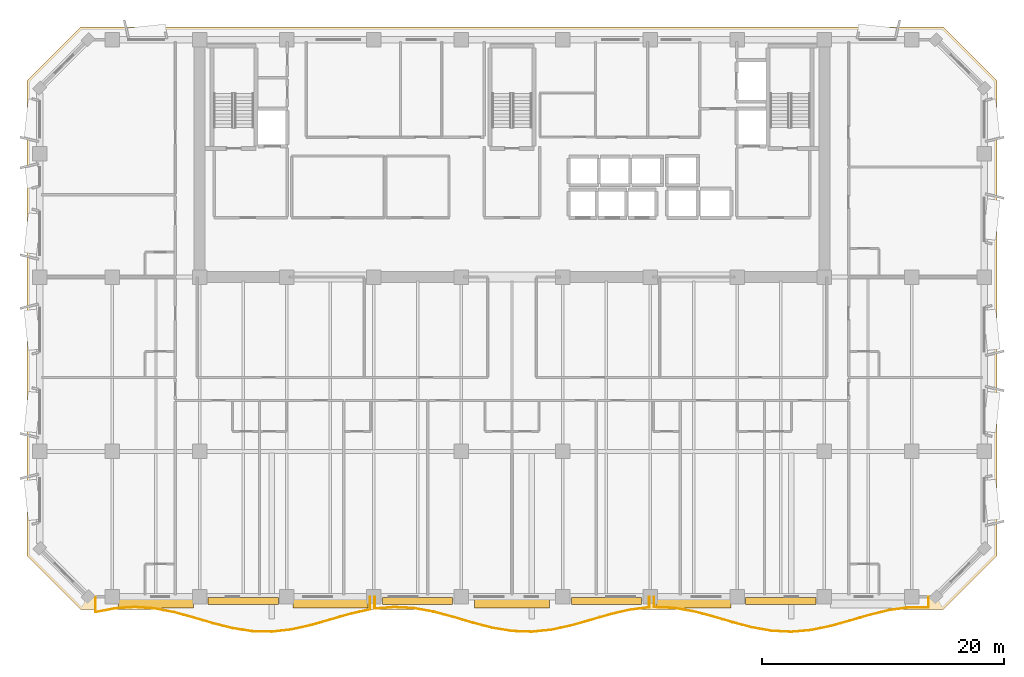
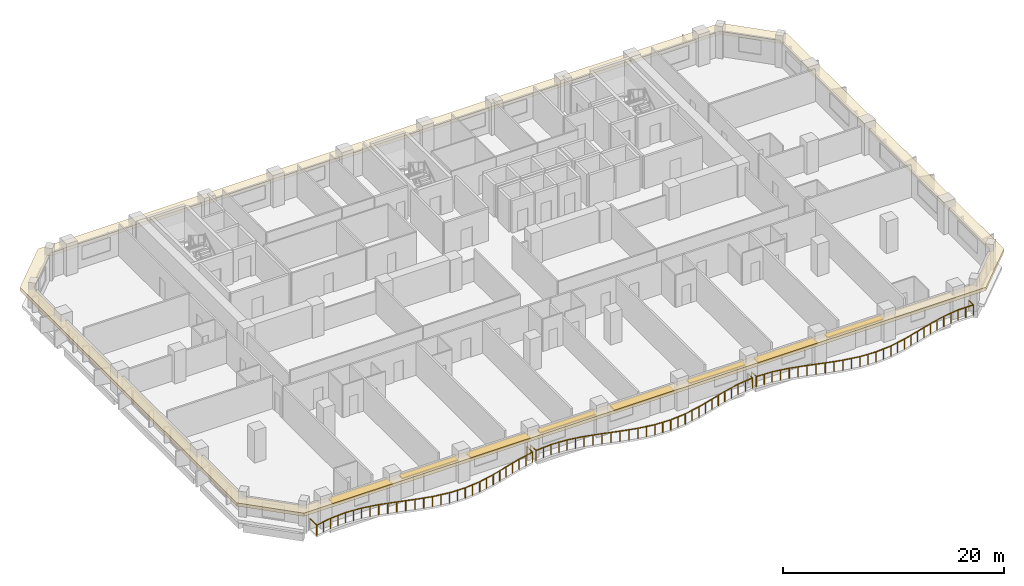
# One storey, part 10 of 14: 8 shading devices, 3 railings, 1 covering.
"""IFC4 building model written with IfcOpenShell, lengths in metres."""

import ifcopenshell
import ifcopenshell.guid

model = None  # the IFC model being written
_history = None  # IfcOwnerHistory: only IFC2X3 demands one
_inside = {}  # id of a spatial element -> (the spatial element, [elements in it])
_under = {}  # id of a project, library or spatial element -> (it, [spatial elements below it])
_declared = {}  # id of a project -> (the project, [libraries it declares])
_typed = {}  # id of a type object -> (the type object, [elements of that type])
_made_of = {}  # id of a material, layer set ... -> (it, [elements and type objects made of it])


def new_model(schema):
    """Start an empty IFC model of exactly this schema.

    Asked for "IFC4X3", IfcOpenShell would pick the latest addendum, in which some entities
    have other attributes; the version numbers below select the first issue.
    IFC2X3 requires an IfcOwnerHistory on every rooted entity: one is made here for all.
    """
    global model, _history
    if schema == "IFC4X3":
        model = ifcopenshell.file(schema_version=(4, 3, 0, 0))
    else:
        model = ifcopenshell.file(schema=schema)
    _inside.clear()
    _under.clear()
    _declared.clear()
    _typed.clear()
    _made_of.clear()
    _history = None
    if model.schema == "IFC2X3":
        org = make("IfcOrganization", Name="unknown")
        user = make(
            "IfcPersonAndOrganization",
            ThePerson=make("IfcPerson", FamilyName="unknown"),
            TheOrganization=org,
        )
        app = make(
            "IfcApplication",
            ApplicationDeveloper=org,
            Version="unknown",
            ApplicationFullName="unknown",
            ApplicationIdentifier="unknown",
        )
        _history = make(
            "IfcOwnerHistory",
            OwningUser=user,
            OwningApplication=app,
            ChangeAction="ADDED",
            CreationDate=0,
        )
    return model


def make(cls, **values):
    """One entity of the class cls with the attributes given. An attribute that is None is left unset."""
    return model.create_entity(
        cls, **{name: value for name, value in values.items() if value is not None}
    )


def rooted(cls, **values):
    """An entity with a GlobalId (a new one), such as an element, a storey or a relation."""
    return make(cls, GlobalId=ifcopenshell.guid.new(), OwnerHistory=_history, **values)


def si_unit(unit_type, name, prefix=None):
    """IfcSIUnit, for example si_unit("LENGTHUNIT", "METRE", prefix="MILLI")."""
    return make("IfcSIUnit", UnitType=unit_type, Prefix=prefix, Name=name)


def assignment(units):
    """IfcUnitAssignment: the units of a project."""
    return None if units is None else make("IfcUnitAssignment", Units=units)


def point(xyz):
    """IfcCartesianPoint."""
    return None if xyz is None else make("IfcCartesianPoint", Coordinates=xyz)


def direction(xyz):
    """IfcDirection."""
    return None if xyz is None else make("IfcDirection", DirectionRatios=xyz)


def frame(location, z_axis=None, x_axis=None):
    """IfcAxis2Placement3D, a coordinate frame: its origin and axes. An axis left out is left unset."""
    return make(
        "IfcAxis2Placement3D",
        Location=point(location),
        Axis=direction(z_axis),
        RefDirection=direction(x_axis),
    )


def frame_2d(location, x_axis=None):
    """IfcAxis2Placement2D, a coordinate frame in the plane: its origin and x axis."""
    return make(
        "IfcAxis2Placement2D", Location=point(location), RefDirection=direction(x_axis)
    )


def origin():
    """The frame at (0, 0, 0) with its axes left unset."""
    return frame((0.0, 0.0, 0.0))


def origin_2d():
    """The frame at (0, 0) in the plane with its x axis left unset."""
    return frame_2d((0.0, 0.0))


def place(relative_to, where):
    """IfcLocalPlacement: puts the frame where relative to a parent placement (None: the world)."""
    return make(
        "IfcLocalPlacement", PlacementRelTo=relative_to, RelativePlacement=where
    )


def context(
    kind, dimensions, precision=None, world=None, true_north=None, identifier=None
):
    """IfcGeometricRepresentationContext, for example the 3D "Model" context."""
    return make(
        "IfcGeometricRepresentationContext",
        ContextIdentifier=identifier,
        ContextType=kind,
        CoordinateSpaceDimension=dimensions,
        Precision=precision,
        WorldCoordinateSystem=world,
        TrueNorth=true_north,
    )


def subcontext(parent, identifier, kind, view, scale=None):
    """IfcGeometricRepresentationSubContext, for example "Body" below "Model"."""
    return make(
        "IfcGeometricRepresentationSubContext",
        ContextIdentifier=identifier,
        ContextType=kind,
        ParentContext=parent,
        TargetScale=scale,
        TargetView=view,
    )


def project(units=None, contexts=None):
    """IfcProject with its units and contexts."""
    return rooted(
        "IfcProject",
        Name="project",
        RepresentationContexts=contexts,
        UnitsInContext=assignment(units),
    )


def spatial(cls, under=None, at=None, **own):
    """A site, building, storey or space (cls), placed at a placement, below another one or the project."""
    s = rooted(cls, ObjectPlacement=at, **own)
    if under is not None:
        _under.setdefault(under.id(), (under, []))[1].append(s)
    return s


def polyline(points):
    """IfcPolyline through the points."""
    return make("IfcPolyline", Points=[point(p) for p in points])


def profile(cls, at=None, kind="AREA", **sizes):
    """A parametric profile (cls). Its sizes go by their IFC names, for example OverallWidth=200.0."""
    return make(cls, ProfileType=kind, Position=at, **sizes)


def rectangle(**sizes):
    """IfcRectangleProfileDef."""
    return profile("IfcRectangleProfileDef", **sizes)


def outline(outer, holes=None, kind="AREA"):
    """IfcArbitraryClosedProfileDef: a profile drawn as a closed curve; with holes, ...WithVoids."""
    if holes is None:
        return make("IfcArbitraryClosedProfileDef", ProfileType=kind, OuterCurve=outer)
    return make(
        "IfcArbitraryProfileDefWithVoids",
        ProfileType=kind,
        OuterCurve=outer,
        InnerCurves=holes,
    )


def extrude(swept, where, along, depth):
    """IfcExtrudedAreaSolid: the profile swept, set in the frame where, extruded along a direction by depth."""
    return make(
        "IfcExtrudedAreaSolid",
        SweptArea=swept,
        Position=where,
        ExtrudedDirection=direction(along),
        Depth=depth,
    )


def shape(context_of_items, identifier, shape_type, items):
    """IfcShapeRepresentation: the items that make up one representation, for example the "Body"."""
    return make(
        "IfcShapeRepresentation",
        ContextOfItems=context_of_items,
        RepresentationIdentifier=identifier,
        RepresentationType=shape_type,
        Items=items,
    )


def material(Name=None, Category=None):
    """IfcMaterial."""
    return make("IfcMaterial", Name=Name, Category=Category)


def layer(
    of_material, thickness, ventilated=None, Name=None, Category=None, Priority=None
):
    """IfcMaterialLayer: one layer of a wall or slab, of a material (None: an air gap)."""
    return make(
        "IfcMaterialLayer",
        Material=of_material,
        LayerThickness=thickness,
        IsVentilated=ventilated,
        Name=Name,
        Category=Category,
        Priority=Priority,
    )


def layer_set(layers, Name=None):
    """IfcMaterialLayerSet."""
    return make("IfcMaterialLayerSet", MaterialLayers=layers, LayerSetName=Name)


def made_of(thing, what):
    """Note that an element or type object is made of a material, layer set ...; save() writes the relation."""
    if what is not None:
        _made_of.setdefault(what.id(), (what, []))[1].append(thing)
    return thing


def type_object(cls, material=None, **own):
    """A type object (cls), such as IfcWallType, which elements share."""
    return made_of(rooted(cls, **own), material)


def element(
    cls,
    number,
    at=None,
    inside=None,
    cuts=None,
    type_object=None,
    material=None,
    context=None,
    identifier="Body",
    shape_type=None,
    held_by="IfcProductDefinitionShape",
    body=None,
    shapes=None,
    **own,
):
    """One element of the class cls, such as IfcWall. Its Tag is "e" and its number.

    at: its placement. inside: the storey or other place that contains it. cuts: it is an
    opening in that element (IfcRelVoidsElement). A single representation is given by context,
    identifier, shape_type and body (its items); several are given by shapes. held_by: the class
    of the entity that holds the representations. save() writes the other relations.
    """
    e = rooted(cls, Tag="e%d" % number, ObjectPlacement=at, **own)
    if body is not None:
        shapes = [shape(context, identifier, shape_type, body)]
    if shapes is not None:
        e.Representation = make(held_by, Representations=shapes)
    if inside is not None:
        _inside.setdefault(inside.id(), (inside, []))[1].append(e)
    if cuts is not None:
        rooted(
            "IfcRelVoidsElement", RelatingBuildingElement=cuts, RelatedOpeningElement=e
        )
    if type_object is not None:
        _typed.setdefault(type_object.id(), (type_object, []))[1].append(e)
    return made_of(e, material)


def aggregate(whole, parts):
    """IfcRelAggregates: a whole, such as a stair, and the parts it consists of."""
    return rooted("IfcRelAggregates", RelatingObject=whole, RelatedObjects=parts)


def save(model, path):
    """Write the relations noted so far, then the file.

    IfcRelAggregates (storeys below a building ...), IfcRelContainedInSpatialStructure (elements
    in a storey), IfcRelDefinesByType, IfcRelAssociatesMaterial and IfcRelDeclares: one each for
    every whole, place, type object, material and project.
    """
    for whole, parts in _under.values():
        aggregate(whole, parts)
    for where, things in _inside.values():
        rooted(
            "IfcRelContainedInSpatialStructure",
            RelatedElements=things,
            RelatingStructure=where,
        )
    for kind, things in _typed.values():
        rooted("IfcRelDefinesByType", RelatedObjects=things, RelatingType=kind)
    for what, things in _made_of.values():
        rooted("IfcRelAssociatesMaterial", RelatedObjects=things, RelatingMaterial=what)
    for by, libraries in _declared.values():
        rooted("IfcRelDeclares", RelatingContext=by, RelatedDefinitions=libraries)
    model.write(path)


model = new_model("IFC4")

# Units and contexts
model_context = context("Model", 3, precision=1e-05, world=origin(), true_north=direction((0.0, 1.0)))
body_context = subcontext(model_context, "Body", "Model", "MODEL_VIEW")
ifc_project = project(units=[si_unit("LENGTHUNIT", "METRE"), si_unit("AREAUNIT", "SQUARE_METRE"), si_unit("VOLUMEUNIT", "CUBIC_METRE"), si_unit("PLANEANGLEUNIT", "RADIAN"), si_unit("MASSUNIT", "GRAM", prefix="KILO")], contexts=[model_context])

# Site, building, storey
site_placement = place(None, origin())
site = spatial("IfcSite", under=ifc_project, at=site_placement, CompositionType="ELEMENT")
building_placement = place(site_placement, origin())
building = spatial("IfcBuilding", under=site, at=building_placement, Name="Kaelvorn Grand Hotel", CompositionType="ELEMENT")
storey_placement = place(building_placement, frame((0.0, 0.0, 169.550048828125)))
storey = spatial("IfcBuildingStorey", under=building, at=storey_placement, Name="L41", CompositionType="ELEMENT", Elevation=169.550048828125)

# Covering
ifc_material_1 = material(Name="Precast concrete C45/55", Category="concrete")
ifc_layer_1 = layer(ifc_material_1, 0.260009765625)
ifc_layer_set_1 = layer_set([ifc_layer_1], Name="Precast concrete C45/55")
covering_type = type_object("IfcCoveringType", Name="COV-BAND-STREAMLINE-HEAD", PredefinedType="CLADDING", material=ifc_layer_set_1)
covering_placement = place(storey_placement, frame((0.0, 0.0, 2.3798828125)))
element("IfcCovering", 1, at=covering_placement, inside=storey, type_object=covering_type, Name="L41 Streamline Moderne Wraparound Horizontal Eyebrow Band", PredefinedType="CLADDING", context=body_context, shape_type="SweptSolid", body=[
    extrude(outline(polyline([(6.389892578125, 1.949951171875), (77.610107421875, 1.949951171875), (82.050048828125, 6.389892578125), (82.050048828125, 45.610107421875), (77.610107421875, 50.050048828125), (6.389892578125, 50.050048828125), (1.949951171875, 45.610107421875), (1.949951171875, 6.389892578125), (6.389892578125, 1.949951171875)]), holes=[polyline([(7.02001953125, 3.030029296875), (76.97998046875, 3.030029296875), (80.969970703125, 7.02001953125), (80.969970703125, 44.97998046875), (76.97998046875, 48.969970703125), (7.02001953125, 48.969970703125), (3.030029296875, 44.97998046875), (3.030029296875, 7.02001953125), (7.02001953125, 3.030029296875)])]), origin(), (0.0, 0.0, 1.0), 0.360107421875),
])

# Railings
ifc_material_2 = material(Name="Stainless Steel", Category="steel")
railing_type = type_object("IfcRailingType", Name="RL-BALC-1150", PredefinedType="BALUSTRADE", material=ifc_material_2)
railing_1_placement = place(storey_placement, frame((7.60009765625, 3.0, 0.0)))
element("IfcRailing", 2, at=railing_1_placement, inside=storey, type_object=railing_type, Name="L41 Scalloped Wave Balcony Balustrade GR1-1", PredefinedType="BALUSTRADE", context=body_context, shape_type="SweptSolid", body=[
    extrude(rectangle(XDim=0.048095703125, YDim=0.048095703125, at=origin_2d()), frame((0.0, 0.0, 1.1259765625), z_axis=(0.0, -1.0, 0.0), x_axis=(1.0, 0.0, 0.0)), (0.0, 0.0, 1.0), 1.2724609375),
    extrude(rectangle(XDim=0.048095703125, YDim=0.048095703125, at=origin_2d()), frame((0.0, -1.2724609375, 1.1259765625), z_axis=(0.982094021858, 0.18839143354, 0.0), x_axis=(-0.18839143354, 0.982094021858, 0.0)), (0.0, 0.0, 1.0), 1.6484375),
    extrude(rectangle(XDim=0.048095703125, YDim=0.048095703125, at=origin_2d()), frame((1.618896484375, -0.9619140625, 1.1259765625), z_axis=(0.997623915422, 0.068895017078, 0.0), x_axis=(-0.068895017078, 0.997623915422, 0.0)), (0.0, 0.0, 1.0), 1.623046875),
    extrude(rectangle(XDim=0.048095703125, YDim=0.048095703125, at=origin_2d()), frame((3.238037109375, -0.85009765625, 1.1259765625), z_axis=(0.99764384086, -0.068605880174, 0.0), x_axis=(0.068605880174, 0.99764384086, 0.0)), (0.0, 0.0, 1.0), 1.622802734375),
    extrude(rectangle(XDim=0.048095703125, YDim=0.048095703125, at=origin_2d()), frame((4.85693359375, -0.96142578125, 1.1259765625), z_axis=(0.982154027822, -0.188078349719, 0.0), x_axis=(0.188078349719, 0.982154027822, 0.0)), (0.0, 0.0, 1.0), 1.648681640625),
    extrude(rectangle(XDim=0.048095703125, YDim=0.048095703125, at=origin_2d()), frame((6.47607421875, -1.271484375, 1.1259765625), z_axis=(0.964753749565, -0.263154332473, 0.0), x_axis=(0.263154332473, 0.964753749565, 0.0)), (0.0, 0.0, 1.0), 1.67822265625),
    extrude(rectangle(XDim=0.048095703125, YDim=0.048095703125, at=origin_2d()), frame((8.09521484375, -1.713134765625, 1.1259765625), z_axis=(0.95922025705, -0.282659686665, 0.0), x_axis=(0.282659686665, 0.95922025705, 0.0)), (0.0, 0.0, 1.0), 1.687744140625),
    extrude(rectangle(XDim=0.048095703125, YDim=0.048095703125, at=origin_2d()), frame((9.714111328125, -2.190185546875, 1.1259765625), z_axis=(0.969658957211, -0.244461667138, 0.0), x_axis=(0.244461667138, 0.969658957211, 0.0)), (0.0, 0.0, 1.0), 1.669921875),
    extrude(rectangle(XDim=0.048095703125, YDim=0.048095703125, at=origin_2d()), frame((11.333251953125, -2.598388671875, 1.1259765625), z_axis=(0.988221348221, -0.153031261252, 0.0), x_axis=(0.153031261252, 0.988221348221, 0.0)), (0.0, 0.0, 1.0), 1.638427734375),
    extrude(rectangle(XDim=0.048095703125, YDim=0.048095703125, at=origin_2d()), frame((12.952392578125, -2.84912109375, 1.1259765625), z_axis=(0.99971624649, -0.023820715872, 0.0), x_axis=(0.023820715872, 0.99971624649, 0.0)), (0.0, 0.0, 1.0), 1.619384765625),
    extrude(rectangle(XDim=0.048095703125, YDim=0.048095703125, at=origin_2d()), frame((14.5712890625, -2.8876953125, 1.1259765625), z_axis=(0.993749613979, 0.111632005792, 0.0), x_axis=(-0.111632005792, 0.993749613979, 0.0)), (0.0, 0.0, 1.0), 1.62939453125),
    extrude(rectangle(XDim=0.048095703125, YDim=0.048095703125, at=origin_2d()), frame((16.1904296875, -2.705810546875, 1.1259765625), z_axis=(0.975797698507, 0.218675219421, 0.0), x_axis=(-0.218675219421, 0.975797698507, 0.0)), (0.0, 0.0, 1.0), 1.658935546875),
    extrude(rectangle(XDim=0.048095703125, YDim=0.048095703125, at=origin_2d()), frame((17.809326171875, -2.343017578125, 1.1259765625), z_axis=(0.961211580708, 0.275812068469, 0.0), x_axis=(-0.275812068469, 0.961211580708, 0.0)), (0.0, 0.0, 1.0), 1.6845703125),
    extrude(rectangle(XDim=0.048095703125, YDim=0.048095703125, at=origin_2d()), frame((19.428466796875, -1.87841796875, 1.1259765625), z_axis=(0.961057758635, 0.27634757927, 0.0), x_axis=(-0.27634757927, 0.961057758635, 0.0)), (0.0, 0.0, 1.0), 1.684814453125),
    extrude(rectangle(XDim=0.048095703125, YDim=0.048095703125, at=origin_2d()), frame((21.047607421875, -1.412841796875, 1.1259765625), z_axis=(0.97554591374, 0.219795746513, 0.0), x_axis=(-0.219795746513, 0.97554591374, 0.0)), (0.0, 0.0, 1.0), 1.659423828125),
    extrude(rectangle(XDim=0.048095703125, YDim=0.048095703125, at=origin_2d()), frame((22.66650390625, -1.048095703125, 1.1259765625), z_axis=(0.0, 1.0, 0.0), x_axis=(-1.0, 0.0, 0.0)), (0.0, 0.0, 1.0), 1.048095703125),
    extrude(rectangle(XDim=0.0419921875, YDim=0.0419921875, at=origin_2d()), origin(), (0.0, 0.0, 1.0), 1.101806640625),
    extrude(rectangle(XDim=0.0419921875, YDim=0.0419921875, at=origin_2d()), frame((0.0, -1.2724609375, 0.0)), (0.0, 0.0, 1.0), 1.101806640625),
    extrude(rectangle(XDim=0.0419921875, YDim=0.0419921875, at=origin_2d()), frame((0.8095703125, -1.1171875, 0.0)), (0.0, 0.0, 1.0), 1.101806640625),
    extrude(rectangle(XDim=0.0419921875, YDim=0.0419921875, at=origin_2d()), frame((1.618896484375, -0.9619140625, 0.0)), (0.0, 0.0, 1.0), 1.101806640625),
    extrude(rectangle(XDim=0.0419921875, YDim=0.0419921875, at=origin_2d()), frame((2.428466796875, -0.906005859375, 0.0)), (0.0, 0.0, 1.0), 1.101806640625),
    extrude(rectangle(XDim=0.0419921875, YDim=0.0419921875, at=origin_2d()), frame((3.238037109375, -0.85009765625, 0.0)), (0.0, 0.0, 1.0), 1.101806640625),
    extrude(rectangle(XDim=0.0419921875, YDim=0.0419921875, at=origin_2d()), frame((4.04736328125, -0.90576171875, 0.0)), (0.0, 0.0, 1.0), 1.101806640625),
    extrude(rectangle(XDim=0.0419921875, YDim=0.0419921875, at=origin_2d()), frame((4.85693359375, -0.96142578125, 0.0)), (0.0, 0.0, 1.0), 1.101806640625),
    extrude(rectangle(XDim=0.0419921875, YDim=0.0419921875, at=origin_2d()), frame((5.66650390625, -1.116455078125, 0.0)), (0.0, 0.0, 1.0), 1.101806640625),
    extrude(rectangle(XDim=0.0419921875, YDim=0.0419921875, at=origin_2d()), frame((6.47607421875, -1.271484375, 0.0)), (0.0, 0.0, 1.0), 1.101806640625),
    extrude(rectangle(XDim=0.0419921875, YDim=0.0419921875, at=origin_2d()), frame((7.28564453125, -1.4921875, 0.0)), (0.0, 0.0, 1.0), 1.101806640625),
    extrude(rectangle(XDim=0.0419921875, YDim=0.0419921875, at=origin_2d()), frame((8.09521484375, -1.713134765625, 0.0)), (0.0, 0.0, 1.0), 1.101806640625),
    extrude(rectangle(XDim=0.0419921875, YDim=0.0419921875, at=origin_2d()), frame((8.90478515625, -1.95166015625, 0.0)), (0.0, 0.0, 1.0), 1.101806640625),
    extrude(rectangle(XDim=0.0419921875, YDim=0.0419921875, at=origin_2d()), frame((9.714111328125, -2.190185546875, 0.0)), (0.0, 0.0, 1.0), 1.101806640625),
    extrude(rectangle(XDim=0.0419921875, YDim=0.0419921875, at=origin_2d()), frame((10.523681640625, -2.394287109375, 0.0)), (0.0, 0.0, 1.0), 1.101806640625),
    extrude(rectangle(XDim=0.0419921875, YDim=0.0419921875, at=origin_2d()), frame((11.333251953125, -2.598388671875, 0.0)), (0.0, 0.0, 1.0), 1.101806640625),
    extrude(rectangle(XDim=0.0419921875, YDim=0.0419921875, at=origin_2d()), frame((12.142822265625, -2.7236328125, 0.0)), (0.0, 0.0, 1.0), 1.101806640625),
    extrude(rectangle(XDim=0.0419921875, YDim=0.0419921875, at=origin_2d()), frame((12.952392578125, -2.84912109375, 0.0)), (0.0, 0.0, 1.0), 1.101806640625),
    extrude(rectangle(XDim=0.0419921875, YDim=0.0419921875, at=origin_2d()), frame((13.76171875, -2.868408203125, 0.0)), (0.0, 0.0, 1.0), 1.101806640625),
    extrude(rectangle(XDim=0.0419921875, YDim=0.0419921875, at=origin_2d()), frame((14.5712890625, -2.8876953125, 0.0)), (0.0, 0.0, 1.0), 1.101806640625),
    extrude(rectangle(XDim=0.0419921875, YDim=0.0419921875, at=origin_2d()), frame((15.380859375, -2.796875, 0.0)), (0.0, 0.0, 1.0), 1.101806640625),
    extrude(rectangle(XDim=0.0419921875, YDim=0.0419921875, at=origin_2d()), frame((16.1904296875, -2.705810546875, 0.0)), (0.0, 0.0, 1.0), 1.101806640625),
    extrude(rectangle(XDim=0.0419921875, YDim=0.0419921875, at=origin_2d()), frame((17.0, -2.5244140625, 0.0)), (0.0, 0.0, 1.0), 1.101806640625),
    extrude(rectangle(XDim=0.0419921875, YDim=0.0419921875, at=origin_2d()), frame((17.809326171875, -2.343017578125, 0.0)), (0.0, 0.0, 1.0), 1.101806640625),
    extrude(rectangle(XDim=0.0419921875, YDim=0.0419921875, at=origin_2d()), frame((18.618896484375, -2.11083984375, 0.0)), (0.0, 0.0, 1.0), 1.101806640625),
    extrude(rectangle(XDim=0.0419921875, YDim=0.0419921875, at=origin_2d()), frame((19.428466796875, -1.87841796875, 0.0)), (0.0, 0.0, 1.0), 1.101806640625),
    extrude(rectangle(XDim=0.0419921875, YDim=0.0419921875, at=origin_2d()), frame((20.238037109375, -1.6455078125, 0.0)), (0.0, 0.0, 1.0), 1.101806640625),
    extrude(rectangle(XDim=0.0419921875, YDim=0.0419921875, at=origin_2d()), frame((21.047607421875, -1.412841796875, 0.0)), (0.0, 0.0, 1.0), 1.101806640625),
    extrude(rectangle(XDim=0.0419921875, YDim=0.0419921875, at=origin_2d()), frame((21.85693359375, -1.23046875, 0.0)), (0.0, 0.0, 1.0), 1.101806640625),
    extrude(rectangle(XDim=0.0419921875, YDim=0.0419921875, at=origin_2d()), frame((22.66650390625, -1.048095703125, 0.0)), (0.0, 0.0, 1.0), 1.101806640625),
    extrude(rectangle(XDim=0.0419921875, YDim=0.0419921875, at=origin_2d()), frame((22.66650390625, 0.0, 0.0)), (0.0, 0.0, 1.0), 1.101806640625),
])
railing_2_placement = place(storey_placement, frame((30.666748046875, 3.0, 0.0)))
element("IfcRailing", 3, at=railing_2_placement, inside=storey, type_object=railing_type, Name="L41 Scalloped Wave Balcony Balustrade GR1-2", PredefinedType="BALUSTRADE", context=body_context, shape_type="SweptSolid", body=[
    extrude(rectangle(XDim=0.048095703125, YDim=0.048095703125, at=origin_2d()), frame((0.0, 0.0, 1.1259765625), z_axis=(0.0, -1.0, 0.0), x_axis=(1.0, 0.0, 0.0)), (0.0, 0.0, 1.0), 0.9833984375),
    extrude(rectangle(XDim=0.048095703125, YDim=0.048095703125, at=origin_2d()), frame((0.0, -0.9833984375, 1.1259765625), z_axis=(0.99667615303, 0.081465612267, 0.0), x_axis=(-0.081465612267, 0.99667615303, 0.0)), (0.0, 0.0, 1.0), 1.624267578125),
    extrude(rectangle(XDim=0.048095703125, YDim=0.048095703125, at=origin_2d()), frame((1.618896484375, -0.85107421875, 1.1259765625), z_axis=(0.998438971105, -0.055853567292, 0.0), x_axis=(0.055853567292, 0.998438971105, 0.0)), (0.0, 0.0, 1.0), 1.62158203125),
    extrude(rectangle(XDim=0.048095703125, YDim=0.048095703125, at=origin_2d()), frame((3.238037109375, -0.941650390625, 1.1259765625), z_axis=(0.983917350354, -0.178624319938, 0.0), x_axis=(0.178624319938, 0.983917350354, 0.0)), (0.0, 0.0, 1.0), 1.6455078125),
    extrude(rectangle(XDim=0.048095703125, YDim=0.048095703125, at=origin_2d()), frame((4.857177734375, -1.235595703125, 1.1259765625), z_axis=(0.966063041937, -0.258306405271, 0.0), x_axis=(0.258306405271, 0.966063041937, 0.0)), (0.0, 0.0, 1.0), 1.67578125),
    extrude(rectangle(XDim=0.048095703125, YDim=0.048095703125, at=origin_2d()), frame((6.47607421875, -1.66845703125, 1.1259765625), z_axis=(0.959074846834, -0.283152676433, 0.0), x_axis=(0.283152676433, 0.959074846834, 0.0)), (0.0, 0.0, 1.0), 1.688232421875),
    extrude(rectangle(XDim=0.048095703125, YDim=0.048095703125, at=origin_2d()), frame((8.09521484375, -2.146484375, 1.1259765625), z_axis=(0.968108458434, -0.250531460515, 0.0), x_axis=(0.250531460515, 0.968108458434, 0.0)), (0.0, 0.0, 1.0), 1.672119140625),
    extrude(rectangle(XDim=0.048095703125, YDim=0.048095703125, at=origin_2d()), frame((9.714111328125, -2.5654296875, 1.1259765625), z_axis=(0.986522272056, -0.163627035474, 0.0), x_axis=(0.163627035474, 0.986522272056, 0.0)), (0.0, 0.0, 1.0), 1.641357421875),
    extrude(rectangle(XDim=0.048095703125, YDim=0.048095703125, at=origin_2d()), frame((11.333251953125, -2.833984375, 1.1259765625), z_axis=(0.999318338292, -0.0369169169, 0.0), x_axis=(0.0369169169, 0.999318338292, 0.0)), (0.0, 0.0, 1.0), 1.620361328125),
    extrude(rectangle(XDim=0.048095703125, YDim=0.048095703125, at=origin_2d()), frame((12.952392578125, -2.893798828125, 1.1259765625), z_axis=(0.995023809866, 0.099637431722, 0.0), x_axis=(-0.099637431722, 0.995023809866, 0.0)), (0.0, 0.0, 1.0), 1.626953125),
    extrude(rectangle(XDim=0.048095703125, YDim=0.048095703125, at=origin_2d()), frame((14.5712890625, -2.731689453125, 1.1259765625), z_axis=(0.977594849421, 0.210495392789, 0.0), x_axis=(-0.210495392789, 0.977594849421, 0.0)), (0.0, 0.0, 1.0), 1.65625),
    extrude(rectangle(XDim=0.048095703125, YDim=0.048095703125, at=origin_2d()), frame((16.1904296875, -2.383056640625, 1.1259765625), z_axis=(0.962042331679, 0.272900260276, 0.0), x_axis=(-0.272900260276, 0.962042331679, 0.0)), (0.0, 0.0, 1.0), 1.682861328125),
    extrude(rectangle(XDim=0.048095703125, YDim=0.048095703125, at=origin_2d()), frame((17.809326171875, -1.923828125, 1.1259765625), z_axis=(0.960362484681, 0.278754189236, 0.0), x_axis=(-0.278754189236, 0.960362484681, 0.0)), (0.0, 0.0, 1.0), 1.68603515625),
    extrude(rectangle(XDim=0.048095703125, YDim=0.048095703125, at=origin_2d()), frame((19.428466796875, -1.453857421875, 1.1259765625), z_axis=(0.973791365493, 0.227443128038, 0.0), x_axis=(-0.227443128038, 0.973791365493, 0.0)), (0.0, 0.0, 1.0), 1.66259765625),
    extrude(rectangle(XDim=0.048095703125, YDim=0.048095703125, at=origin_2d()), frame((21.047607421875, -1.07568359375, 1.1259765625), z_axis=(0.992146114202, 0.125084323854, 0.0), x_axis=(-0.125084323854, 0.992146114202, 0.0)), (0.0, 0.0, 1.0), 1.631591796875),
    extrude(rectangle(XDim=0.048095703125, YDim=0.048095703125, at=origin_2d()), frame((22.66650390625, -0.87158203125, 1.1259765625), z_axis=(0.0, 1.0, 0.0), x_axis=(-1.0, 0.0, 0.0)), (0.0, 0.0, 1.0), 0.87158203125),
    extrude(rectangle(XDim=0.0419921875, YDim=0.0419921875, at=origin_2d()), origin(), (0.0, 0.0, 1.0), 1.101806640625),
    extrude(rectangle(XDim=0.0419921875, YDim=0.0419921875, at=origin_2d()), frame((0.0, -0.9833984375, 0.0)), (0.0, 0.0, 1.0), 1.101806640625),
    extrude(rectangle(XDim=0.0419921875, YDim=0.0419921875, at=origin_2d()), frame((0.8095703125, -0.917236328125, 0.0)), (0.0, 0.0, 1.0), 1.101806640625),
    extrude(rectangle(XDim=0.0419921875, YDim=0.0419921875, at=origin_2d()), frame((1.618896484375, -0.85107421875, 0.0)), (0.0, 0.0, 1.0), 1.101806640625),
    extrude(rectangle(XDim=0.0419921875, YDim=0.0419921875, at=origin_2d()), frame((2.428466796875, -0.896484375, 0.0)), (0.0, 0.0, 1.0), 1.101806640625),
    extrude(rectangle(XDim=0.0419921875, YDim=0.0419921875, at=origin_2d()), frame((3.238037109375, -0.941650390625, 0.0)), (0.0, 0.0, 1.0), 1.101806640625),
    extrude(rectangle(XDim=0.0419921875, YDim=0.0419921875, at=origin_2d()), frame((4.047607421875, -1.088623046875, 0.0)), (0.0, 0.0, 1.0), 1.101806640625),
    extrude(rectangle(XDim=0.0419921875, YDim=0.0419921875, at=origin_2d()), frame((4.857177734375, -1.235595703125, 0.0)), (0.0, 0.0, 1.0), 1.101806640625),
    extrude(rectangle(XDim=0.0419921875, YDim=0.0419921875, at=origin_2d()), frame((5.66650390625, -1.4521484375, 0.0)), (0.0, 0.0, 1.0), 1.101806640625),
    extrude(rectangle(XDim=0.0419921875, YDim=0.0419921875, at=origin_2d()), frame((6.47607421875, -1.66845703125, 0.0)), (0.0, 0.0, 1.0), 1.101806640625),
    extrude(rectangle(XDim=0.0419921875, YDim=0.0419921875, at=origin_2d()), frame((7.28564453125, -1.907470703125, 0.0)), (0.0, 0.0, 1.0), 1.101806640625),
    extrude(rectangle(XDim=0.0419921875, YDim=0.0419921875, at=origin_2d()), frame((8.09521484375, -2.146484375, 0.0)), (0.0, 0.0, 1.0), 1.101806640625),
    extrude(rectangle(XDim=0.0419921875, YDim=0.0419921875, at=origin_2d()), frame((8.90478515625, -2.35595703125, 0.0)), (0.0, 0.0, 1.0), 1.101806640625),
    extrude(rectangle(XDim=0.0419921875, YDim=0.0419921875, at=origin_2d()), frame((9.714111328125, -2.5654296875, 0.0)), (0.0, 0.0, 1.0), 1.101806640625),
    extrude(rectangle(XDim=0.0419921875, YDim=0.0419921875, at=origin_2d()), frame((10.523681640625, -2.69970703125, 0.0)), (0.0, 0.0, 1.0), 1.101806640625),
    extrude(rectangle(XDim=0.0419921875, YDim=0.0419921875, at=origin_2d()), frame((11.333251953125, -2.833984375, 0.0)), (0.0, 0.0, 1.0), 1.101806640625),
    extrude(rectangle(XDim=0.0419921875, YDim=0.0419921875, at=origin_2d()), frame((12.142822265625, -2.86376953125, 0.0)), (0.0, 0.0, 1.0), 1.101806640625),
    extrude(rectangle(XDim=0.0419921875, YDim=0.0419921875, at=origin_2d()), frame((12.952392578125, -2.893798828125, 0.0)), (0.0, 0.0, 1.0), 1.101806640625),
    extrude(rectangle(XDim=0.0419921875, YDim=0.0419921875, at=origin_2d()), frame((13.76171875, -2.812744140625, 0.0)), (0.0, 0.0, 1.0), 1.101806640625),
    extrude(rectangle(XDim=0.0419921875, YDim=0.0419921875, at=origin_2d()), frame((14.5712890625, -2.731689453125, 0.0)), (0.0, 0.0, 1.0), 1.101806640625),
    extrude(rectangle(XDim=0.0419921875, YDim=0.0419921875, at=origin_2d()), frame((15.380859375, -2.557373046875, 0.0)), (0.0, 0.0, 1.0), 1.101806640625),
    extrude(rectangle(XDim=0.0419921875, YDim=0.0419921875, at=origin_2d()), frame((16.1904296875, -2.383056640625, 0.0)), (0.0, 0.0, 1.0), 1.101806640625),
    extrude(rectangle(XDim=0.0419921875, YDim=0.0419921875, at=origin_2d()), frame((17.0, -2.1533203125, 0.0)), (0.0, 0.0, 1.0), 1.101806640625),
    extrude(rectangle(XDim=0.0419921875, YDim=0.0419921875, at=origin_2d()), frame((17.809326171875, -1.923828125, 0.0)), (0.0, 0.0, 1.0), 1.101806640625),
    extrude(rectangle(XDim=0.0419921875, YDim=0.0419921875, at=origin_2d()), frame((18.618896484375, -1.68896484375, 0.0)), (0.0, 0.0, 1.0), 1.101806640625),
    extrude(rectangle(XDim=0.0419921875, YDim=0.0419921875, at=origin_2d()), frame((19.428466796875, -1.453857421875, 0.0)), (0.0, 0.0, 1.0), 1.101806640625),
    extrude(rectangle(XDim=0.0419921875, YDim=0.0419921875, at=origin_2d()), frame((20.238037109375, -1.2646484375, 0.0)), (0.0, 0.0, 1.0), 1.101806640625),
    extrude(rectangle(XDim=0.0419921875, YDim=0.0419921875, at=origin_2d()), frame((21.047607421875, -1.07568359375, 0.0)), (0.0, 0.0, 1.0), 1.101806640625),
    extrude(rectangle(XDim=0.0419921875, YDim=0.0419921875, at=origin_2d()), frame((21.85693359375, -0.9736328125, 0.0)), (0.0, 0.0, 1.0), 1.101806640625),
    extrude(rectangle(XDim=0.0419921875, YDim=0.0419921875, at=origin_2d()), frame((22.66650390625, -0.87158203125, 0.0)), (0.0, 0.0, 1.0), 1.101806640625),
    extrude(rectangle(XDim=0.0419921875, YDim=0.0419921875, at=origin_2d()), frame((22.66650390625, 0.0, 0.0)), (0.0, 0.0, 1.0), 1.101806640625),
])
railing_3_placement = place(storey_placement, frame((53.7333984375, 3.0, 0.0)))
element("IfcRailing", 4, at=railing_3_placement, inside=storey, type_object=railing_type, Name="L41 Scalloped Wave Balcony Balustrade GR1-3", PredefinedType="BALUSTRADE", context=body_context, shape_type="SweptSolid", body=[
    extrude(rectangle(XDim=0.048095703125, YDim=0.048095703125, at=origin_2d()), frame((0.0, 0.0, 1.1259765625), z_axis=(0.0, -1.0, 0.0), x_axis=(1.0, 0.0, 0.0)), (0.0, 0.0, 1.0), 0.85400390625),
    extrude(rectangle(XDim=0.048095703125, YDim=0.048095703125, at=origin_2d()), frame((0.0, -0.85400390625, 1.1259765625), z_axis=(0.99907116493, -0.043090688157, 0.0), x_axis=(0.043090688157, 0.99907116493, 0.0)), (0.0, 0.0, 1.0), 1.620361328125),
    extrude(rectangle(XDim=0.048095703125, YDim=0.048095703125, at=origin_2d()), frame((1.618896484375, -0.923828125, 1.1259765625), z_axis=(0.985694298007, -0.168543023815, 0.0), x_axis=(0.168543023815, 0.985694298007, 0.0)), (0.0, 0.0, 1.0), 1.642578125),
    extrude(rectangle(XDim=0.048095703125, YDim=0.048095703125, at=origin_2d()), frame((3.238037109375, -1.20068359375, 1.1259765625), z_axis=(0.967441989908, -0.25309286075, 0.0), x_axis=(0.25309286075, 0.967441989908, 0.0)), (0.0, 0.0, 1.0), 1.673583984375),
    extrude(rectangle(XDim=0.048095703125, YDim=0.048095703125, at=origin_2d()), frame((4.857177734375, -1.624267578125, 1.1259765625), z_axis=(0.959023960124, -0.283324979322, 0.0), x_axis=(0.283324979322, 0.959023960124, 0.0)), (0.0, 0.0, 1.0), 1.68798828125),
    extrude(rectangle(XDim=0.048095703125, YDim=0.048095703125, at=origin_2d()), frame((6.47607421875, -2.1025390625, 1.1259765625), z_axis=(0.966688257577, -0.255956661687, 0.0), x_axis=(0.255956661687, 0.966688257577, 0.0)), (0.0, 0.0, 1.0), 1.675048828125),
    extrude(rectangle(XDim=0.048095703125, YDim=0.048095703125, at=origin_2d()), frame((8.09521484375, -2.53125, 1.1259765625), z_axis=(0.984762620889, -0.17390394044, 0.0), x_axis=(0.17390394044, 0.984762620889, 0.0)), (0.0, 0.0, 1.0), 1.64404296875),
    extrude(rectangle(XDim=0.048095703125, YDim=0.048095703125, at=origin_2d()), frame((9.714111328125, -2.817138671875, 1.1259765625), z_axis=(0.998764327733, -0.049697259975, 0.0), x_axis=(0.049697259975, 0.998764327733, 0.0)), (0.0, 0.0, 1.0), 1.62109375),
    extrude(rectangle(XDim=0.048095703125, YDim=0.048095703125, at=origin_2d()), frame((11.333251953125, -2.897705078125, 1.1259765625), z_axis=(0.996184581648, 0.087271297035, 0.0), x_axis=(-0.087271297035, 0.996184581648, 0.0)), (0.0, 0.0, 1.0), 1.625244140625),
    extrude(rectangle(XDim=0.048095703125, YDim=0.048095703125, at=origin_2d()), frame((12.952392578125, -2.755859375, 1.1259765625), z_axis=(0.97940467144, 0.20190713103, 0.0), x_axis=(-0.20190713103, 0.97940467144, 0.0)), (0.0, 0.0, 1.0), 1.65283203125),
    extrude(rectangle(XDim=0.048095703125, YDim=0.048095703125, at=origin_2d()), frame((14.5712890625, -2.422119140625, 1.1259765625), z_axis=(0.963037881614, 0.269365993726, 0.0), x_axis=(-0.269365993726, 0.963037881614, 0.0)), (0.0, 0.0, 1.0), 1.681396484375),
    extrude(rectangle(XDim=0.048095703125, YDim=0.048095703125, at=origin_2d()), frame((16.1904296875, -1.96923828125, 1.1259765625), z_axis=(0.959818254788, 0.280622375759, 0.0), x_axis=(-0.280622375759, 0.959818254788, 0.0)), (0.0, 0.0, 1.0), 1.68701171875),
    extrude(rectangle(XDim=0.048095703125, YDim=0.048095703125, at=origin_2d()), frame((17.8095703125, -1.495849609375, 1.1259765625), z_axis=(0.972068370994, 0.234697852807, 0.0), x_axis=(-0.234697852807, 0.972068370994, 0.0)), (0.0, 0.0, 1.0), 1.66552734375),
    extrude(rectangle(XDim=0.048095703125, YDim=0.048095703125, at=origin_2d()), frame((19.428466796875, -1.10498046875, 1.1259765625), z_axis=(0.990636461105, 0.136526195032, 0.0), x_axis=(-0.136526195032, 0.990636461105, 0.0)), (0.0, 0.0, 1.0), 1.634521484375),
    extrude(rectangle(XDim=0.048095703125, YDim=0.048095703125, at=origin_2d()), frame((21.047607421875, -0.8818359375, 1.1259765625), z_axis=(0.999991084982, 0.004222553217, 0.0), x_axis=(-0.004222553217, 0.999991084982, 0.0)), (0.0, 0.0, 1.0), 1.618896484375),
    extrude(rectangle(XDim=0.048095703125, YDim=0.048095703125, at=origin_2d()), frame((22.66650390625, -0.875, 1.1259765625), z_axis=(0.0, 1.0, 0.0), x_axis=(-1.0, 0.0, 0.0)), (0.0, 0.0, 1.0), 0.875),
    extrude(rectangle(XDim=0.0419921875, YDim=0.0419921875, at=origin_2d()), origin(), (0.0, 0.0, 1.0), 1.101806640625),
    extrude(rectangle(XDim=0.0419921875, YDim=0.0419921875, at=origin_2d()), frame((0.0, -0.85400390625, 0.0)), (0.0, 0.0, 1.0), 1.101806640625),
    extrude(rectangle(XDim=0.0419921875, YDim=0.0419921875, at=origin_2d()), frame((0.8095703125, -0.888916015625, 0.0)), (0.0, 0.0, 1.0), 1.101806640625),
    extrude(rectangle(XDim=0.0419921875, YDim=0.0419921875, at=origin_2d()), frame((1.618896484375, -0.923828125, 0.0)), (0.0, 0.0, 1.0), 1.101806640625),
    extrude(rectangle(XDim=0.0419921875, YDim=0.0419921875, at=origin_2d()), frame((2.428466796875, -1.062255859375, 0.0)), (0.0, 0.0, 1.0), 1.101806640625),
    extrude(rectangle(XDim=0.0419921875, YDim=0.0419921875, at=origin_2d()), frame((3.238037109375, -1.20068359375, 0.0)), (0.0, 0.0, 1.0), 1.101806640625),
    extrude(rectangle(XDim=0.0419921875, YDim=0.0419921875, at=origin_2d()), frame((4.047607421875, -1.41259765625, 0.0)), (0.0, 0.0, 1.0), 1.101806640625),
    extrude(rectangle(XDim=0.0419921875, YDim=0.0419921875, at=origin_2d()), frame((4.857177734375, -1.624267578125, 0.0)), (0.0, 0.0, 1.0), 1.101806640625),
    extrude(rectangle(XDim=0.0419921875, YDim=0.0419921875, at=origin_2d()), frame((5.66650390625, -1.86328125, 0.0)), (0.0, 0.0, 1.0), 1.101806640625),
    extrude(rectangle(XDim=0.0419921875, YDim=0.0419921875, at=origin_2d()), frame((6.47607421875, -2.1025390625, 0.0)), (0.0, 0.0, 1.0), 1.101806640625),
    extrude(rectangle(XDim=0.0419921875, YDim=0.0419921875, at=origin_2d()), frame((7.28564453125, -2.31689453125, 0.0)), (0.0, 0.0, 1.0), 1.101806640625),
    extrude(rectangle(XDim=0.0419921875, YDim=0.0419921875, at=origin_2d()), frame((8.09521484375, -2.53125, 0.0)), (0.0, 0.0, 1.0), 1.101806640625),
    extrude(rectangle(XDim=0.0419921875, YDim=0.0419921875, at=origin_2d()), frame((8.90478515625, -2.67431640625, 0.0)), (0.0, 0.0, 1.0), 1.101806640625),
    extrude(rectangle(XDim=0.0419921875, YDim=0.0419921875, at=origin_2d()), frame((9.714111328125, -2.817138671875, 0.0)), (0.0, 0.0, 1.0), 1.101806640625),
    extrude(rectangle(XDim=0.0419921875, YDim=0.0419921875, at=origin_2d()), frame((10.523681640625, -2.857421875, 0.0)), (0.0, 0.0, 1.0), 1.101806640625),
    extrude(rectangle(XDim=0.0419921875, YDim=0.0419921875, at=origin_2d()), frame((11.333251953125, -2.897705078125, 0.0)), (0.0, 0.0, 1.0), 1.101806640625),
    extrude(rectangle(XDim=0.0419921875, YDim=0.0419921875, at=origin_2d()), frame((12.142822265625, -2.82666015625, 0.0)), (0.0, 0.0, 1.0), 1.101806640625),
    extrude(rectangle(XDim=0.0419921875, YDim=0.0419921875, at=origin_2d()), frame((12.952392578125, -2.755859375, 0.0)), (0.0, 0.0, 1.0), 1.101806640625),
    extrude(rectangle(XDim=0.0419921875, YDim=0.0419921875, at=origin_2d()), frame((13.76171875, -2.5888671875, 0.0)), (0.0, 0.0, 1.0), 1.101806640625),
    extrude(rectangle(XDim=0.0419921875, YDim=0.0419921875, at=origin_2d()), frame((14.5712890625, -2.422119140625, 0.0)), (0.0, 0.0, 1.0), 1.101806640625),
    extrude(rectangle(XDim=0.0419921875, YDim=0.0419921875, at=origin_2d()), frame((15.380859375, -2.19580078125, 0.0)), (0.0, 0.0, 1.0), 1.101806640625),
    extrude(rectangle(XDim=0.0419921875, YDim=0.0419921875, at=origin_2d()), frame((16.1904296875, -1.96923828125, 0.0)), (0.0, 0.0, 1.0), 1.101806640625),
    extrude(rectangle(XDim=0.0419921875, YDim=0.0419921875, at=origin_2d()), frame((17.0, -1.732421875, 0.0)), (0.0, 0.0, 1.0), 1.101806640625),
    extrude(rectangle(XDim=0.0419921875, YDim=0.0419921875, at=origin_2d()), frame((17.8095703125, -1.495849609375, 0.0)), (0.0, 0.0, 1.0), 1.101806640625),
    extrude(rectangle(XDim=0.0419921875, YDim=0.0419921875, at=origin_2d()), frame((18.619140625, -1.30029296875, 0.0)), (0.0, 0.0, 1.0), 1.101806640625),
    extrude(rectangle(XDim=0.0419921875, YDim=0.0419921875, at=origin_2d()), frame((19.428466796875, -1.10498046875, 0.0)), (0.0, 0.0, 1.0), 1.101806640625),
    extrude(rectangle(XDim=0.0419921875, YDim=0.0419921875, at=origin_2d()), frame((20.238037109375, -0.993408203125, 0.0)), (0.0, 0.0, 1.0), 1.101806640625),
    extrude(rectangle(XDim=0.0419921875, YDim=0.0419921875, at=origin_2d()), frame((21.047607421875, -0.8818359375, 0.0)), (0.0, 0.0, 1.0), 1.101806640625),
    extrude(rectangle(XDim=0.0419921875, YDim=0.0419921875, at=origin_2d()), frame((21.85693359375, -0.87841796875, 0.0)), (0.0, 0.0, 1.0), 1.101806640625),
    extrude(rectangle(XDim=0.0419921875, YDim=0.0419921875, at=origin_2d()), frame((22.66650390625, -0.875, 0.0)), (0.0, 0.0, 1.0), 1.101806640625),
    extrude(rectangle(XDim=0.0419921875, YDim=0.0419921875, at=origin_2d()), frame((22.66650390625, 0.0, 0.0)), (0.0, 0.0, 1.0), 1.101806640625),
])

# Shading devices
ifc_layer_2 = layer(ifc_material_1, 0.1201171875)
ifc_layer_set_2 = layer_set([ifc_layer_2], Name="Precast concrete C45/55")
shading_device_type_1 = type_object("IfcShadingDeviceType", Name="SHD-SUNSHADE-550", PredefinedType="USERDEFINED", material=ifc_layer_set_2)
for number, where, z_axis, x_axis, name in (
    (5, (19.800048828125, 2.64501953125, 2.559814453125), (0.0, 0.0, 1.0), (1.0, 0.0, 0.0), "L41 Horizontal Concrete Sunshade Band SS-03"),
    (6, (34.199951171875, 2.64501953125, 2.559814453125), (0.0, 0.0, 1.0), (1.0, 0.0, 0.0), "L41 Horizontal Concrete Sunshade Band SS-05"),
    (7, (49.800048828125, 2.64501953125, 2.559814453125), (0.0, 0.0, 1.0), (1.0, 0.0, 0.0), "L41 Horizontal Concrete Sunshade Band SS-07"),
    (8, (64.199951171875, 2.64501953125, 2.559814453125), (0.0, 0.0, 1.0), (1.0, 0.0, 0.0), "L41 Horizontal Concrete Sunshade Band SS-09"),
):
    element("IfcShadingDevice", number, at=place(storey_placement, frame(where, z_axis=z_axis, x_axis=x_axis)), inside=storey, type_object=shading_device_type_1, Name=name, ObjectType="SUNSHADE", PredefinedType="USERDEFINED", context=body_context, shape_type="SweptSolid", body=[
        extrude(rectangle(XDim=5.800048828125, YDim=0.550048828125, at=origin_2d()), origin(), (0.0, 0.0, 1.0), 0.1201171875),
    ])
ifc_layer_3 = layer(ifc_material_1, 0.139892578125)
ifc_layer_set_3 = layer_set([ifc_layer_3], Name="Precast concrete C45/55")
shading_device_type_2 = type_object("IfcShadingDeviceType", Name="SHD-SUNSHADE-850", PredefinedType="USERDEFINED", material=ifc_layer_set_3)
for number, where, z_axis, x_axis, name in (
    (9, (12.60009765625, 2.4951171875, 2.5498046875), (0.0, 0.0, 1.0), (1.0, 0.0, 0.0), "L41 Horizontal Concrete Sunshade Band SS-02"),
    (10, (27.0, 2.4951171875, 2.5498046875), (0.0, 0.0, 1.0), (1.0, 0.0, 0.0), "L41 Horizontal Concrete Sunshade Band SS-04"),
    (11, (42.0, 2.4951171875, 2.5498046875), (0.0, 0.0, 1.0), (1.0, 0.0, 0.0), "L41 Horizontal Concrete Sunshade Band SS-06"),
    (12, (57.0, 2.4951171875, 2.5498046875), (0.0, 0.0, 1.0), (1.0, 0.0, 0.0), "L41 Horizontal Concrete Sunshade Band SS-08"),
):
    element("IfcShadingDevice", number, at=place(storey_placement, frame(where, z_axis=z_axis, x_axis=x_axis)), inside=storey, type_object=shading_device_type_2, Name=name, ObjectType="SUNSHADE", PredefinedType="USERDEFINED", context=body_context, shape_type="SweptSolid", body=[
        extrude(rectangle(XDim=6.199951171875, YDim=0.85009765625, at=origin_2d()), origin(), (0.0, 0.0, 1.0), 0.139892578125),
    ])

save(model, "model.ifc")
